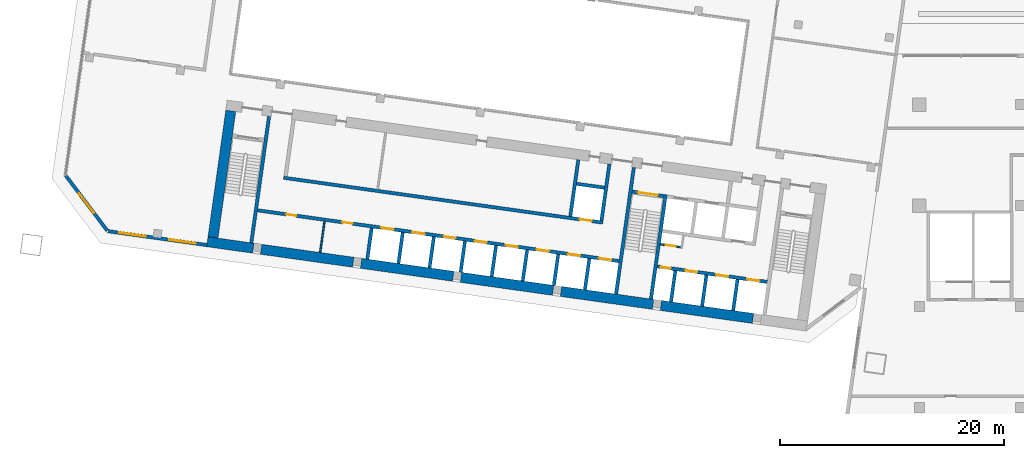
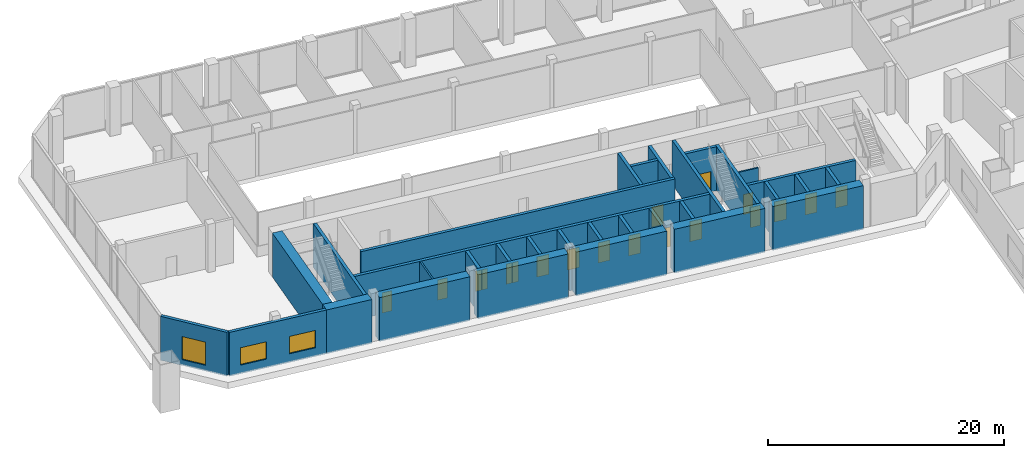
# One storey, part 10 of 21: 32 walls, 17 doors, 3 windows, 20 openings.
"""IFC4 building model written with IfcOpenShell, lengths in metres."""

from ifc_helpers import new_model, si_unit, direction, frame, frame_2d, origin, place, context, subcontext, project, spatial, rectangle, extrude, material, layer, layer_set, type_object, element, fill, save


model = new_model("IFC4")

# Units and contexts
model_context = context("Model", 3, precision=1e-05, world=origin(), true_north=direction((0.0, 1.0)))
body_context = subcontext(model_context, "Body", "Model", "MODEL_VIEW")
ifc_project = project(units=[si_unit("LENGTHUNIT", "METRE"), si_unit("AREAUNIT", "SQUARE_METRE"), si_unit("VOLUMEUNIT", "CUBIC_METRE"), si_unit("PLANEANGLEUNIT", "RADIAN"), si_unit("MASSUNIT", "GRAM", prefix="KILO")], contexts=[model_context])

# Site, building, storey
site_placement = place(None, origin())
site = spatial("IfcSite", under=ifc_project, at=site_placement, CompositionType="ELEMENT")
building_placement = place(site_placement, origin())
building = spatial("IfcBuilding", under=site, at=building_placement, Name="Mirante Cascada Hotel Towers", CompositionType="ELEMENT")
storey_placement = place(building_placement, frame((0.0, 0.0, 34.5)))
storey = spatial("IfcBuildingStorey", under=building, at=storey_placement, Name="L05", CompositionType="ELEMENT", Elevation=34.5)

# Wall, opening, door
ifc_material_1 = material(Name="Masonry block", Category="masonry")
ifc_layer_1 = layer(ifc_material_1, 0.15)
ifc_layer_set_1 = layer_set([ifc_layer_1], Name="Core room partition 150 block EI 30")
wall_type_1 = type_object("IfcWallType", Name="Core room partition 150 block EI 30", PredefinedType="PARTITIONING", material=ifc_layer_set_1)
wall_1_placement = place(storey_placement, frame((-48.2933, -12.7083, 0.0), z_axis=(0.0, 0.0, 1.0), x_axis=(-0.990268, 0.1391734, 0.0)))
wall_1 = element("IfcWall", 1, at=wall_1_placement, inside=storey, type_object=wall_type_1, Name="Core wall partition T1 L05 3", PredefinedType="PARTITIONING", context=body_context, shape_type="SweptSolid", body=[
    extrude(rectangle(XDim=1.8251, YDim=0.15, at=frame_2d((0.9126, 0.0))), origin(), (0.0, 0.0, 1.0), 4.55),
])
opening_1_placement = place(wall_1_placement, frame((0.4625, 0.0, 0.0)))
opening_1 = element("IfcOpeningElement", 2, at=opening_1_placement, cuts=wall_1, Name="Opening D1-05-C26", PredefinedType="OPENING", context=body_context, shape_type="SweptSolid", body=[
    extrude(rectangle(XDim=0.9, YDim=2.1, at=frame_2d((0.45, 1.05))), frame((0.0, 0.075, 0.0), z_axis=(0.0, -1.0, 0.0), x_axis=(1.0, 0.0, 0.0)), (0.0, 0.0, 1.0), 0.15),
])
ifc_material_2 = material(Name="Hollow metal fire door leaf")
door_type_1 = type_object("IfcDoorType", Name="Fire door 900x2100 FD60", OperationType="NOTDEFINED", PredefinedType="DOOR", material=ifc_material_2)
door_1_placement = place(opening_1_placement, origin())
door_1 = element("IfcDoor", 3, at=door_1_placement, inside=storey, type_object=door_type_1, Name="Riser door T1 L05 26", OperationType="SINGLE_SWING_RIGHT", OverallHeight=2.1, OverallWidth=0.9, PredefinedType="DOOR", context=body_context, shape_type="SweptSolid", body=[
    extrude(rectangle(XDim=0.9, YDim=2.1, at=frame_2d((0.45, 1.05))), frame((0.0, 0.025, 0.0), z_axis=(0.0, -1.0, 0.0), x_axis=(1.0, 0.0, 0.0)), (0.0, 0.0, 1.0), 0.05),
])
fill(opening_1, door_1)

# Wall
wall_2_placement = place(storey_placement, frame((-80.448, -13.1879, 0.0), z_axis=(0.0, 0.0, 1.0), x_axis=(0.139176, 0.9902677, 0.0)))
element("IfcWall", 4, at=wall_2_placement, inside=storey, type_object=wall_type_1, Name="Core wall partition T1 L05 4", PredefinedType="PARTITIONING", context=body_context, shape_type="SweptSolid", body=[
    extrude(rectangle(XDim=2.8001, YDim=0.15, at=frame_2d((1.4, 0.0))), origin(), (0.0, 0.0, 1.0), 4.55),
])

# Wall, openings, windows
ifc_material_3 = material(Name="Precast concrete C40/50", Category="concrete")
ifc_layer_2 = layer(ifc_material_3, 0.3)
ifc_layer_set_2 = layer_set([ifc_layer_2], Name="Precast concrete C40/50 cladding wall 300")
wall_type_2 = type_object("IfcWallType", Name="Precast concrete C40/50 cladding wall 300", PredefinedType="STANDARD", material=ifc_layer_set_2)
wall_3_placement = place(storey_placement, frame((-90.5541, -12.5249, 0.0), z_axis=(0.0, 0.0, 1.0), x_axis=(-0.9902676, 0.1391765, 0.0)))
wall_3 = element("IfcWall", 5, at=wall_3_placement, inside=storey, type_object=wall_type_2, Name="Rear cladding wall T1 L05 1", PredefinedType="STANDARD", context=body_context, shape_type="SweptSolid", body=[
    extrude(rectangle(XDim=8.8758, YDim=0.3, at=frame_2d((4.4379, 0.0))), origin(), (0.0, 0.0, 1.0), 4.55),
])
opening_2_placement = place(wall_3_placement, frame((1.0012, 0.0, 0.9)))
opening_2 = element("IfcOpeningElement", 6, at=opening_2_placement, cuts=wall_3, Name="Opening W1-05-01", PredefinedType="OPENING", context=body_context, shape_type="SweptSolid", body=[
    extrude(rectangle(XDim=2.4, YDim=1.8, at=frame_2d((1.2, 0.9))), frame((0.0, 0.15, 0.0), z_axis=(0.0, -1.0, 0.0), x_axis=(1.0, 0.0, 0.0)), (0.0, 0.0, 1.0), 0.3),
])
opening_3_placement = place(wall_3_placement, frame((5.4923, 0.0, 0.9)))
opening_3 = element("IfcOpeningElement", 7, at=opening_3_placement, cuts=wall_3, Name="Opening W1-05-02", PredefinedType="OPENING", context=body_context, shape_type="SweptSolid", body=[
    extrude(rectangle(XDim=2.4, YDim=1.8, at=frame_2d((1.2, 0.9))), frame((0.0, 0.15, 0.0), z_axis=(0.0, -1.0, 0.0), x_axis=(1.0, 0.0, 0.0)), (0.0, 0.0, 1.0), 0.3),
])
ifc_material_4 = material(Name="Aluminium frame with clear double glazing", Category="aluminium")
window_type_1 = type_object("IfcWindowType", Name="Punched window 2400x1800", PartitioningType="DOUBLE_PANEL_VERTICAL", PredefinedType="WINDOW", material=ifc_material_4)
window_1_placement = place(opening_2_placement, origin())
window_1 = element("IfcWindow", 8, at=window_1_placement, inside=storey, type_object=window_type_1, Name="Window W1-05-01", OverallHeight=1.8, OverallWidth=2.4, PartitioningType="SINGLE_PANEL", PredefinedType="WINDOW", context=body_context, shape_type="SweptSolid", body=[
    extrude(rectangle(XDim=2.4, YDim=1.8, at=frame_2d((1.2, 0.9))), frame((0.0, 0.03, 0.0), z_axis=(0.0, -1.0, 0.0), x_axis=(1.0, 0.0, 0.0)), (0.0, 0.0, 1.0), 0.06),
])
fill(opening_2, window_1)
window_2_placement = place(opening_3_placement, origin())
window_2 = element("IfcWindow", 9, at=window_2_placement, inside=storey, type_object=window_type_1, Name="Window W1-05-02", OverallHeight=1.8, OverallWidth=2.4, PartitioningType="SINGLE_PANEL", PredefinedType="WINDOW", context=body_context, shape_type="SweptSolid", body=[
    extrude(rectangle(XDim=2.4, YDim=1.8, at=frame_2d((1.2, 0.9))), frame((0.0, 0.03, 0.0), z_axis=(0.0, -1.0, 0.0), x_axis=(1.0, 0.0, 0.0)), (0.0, 0.0, 1.0), 0.06),
])
fill(opening_3, window_2)

# Wall, opening, window
wall_4_placement = place(storey_placement, frame((-99.4424, -11.2313, 0.0), z_axis=(0.0, 0.0, 1.0), x_axis=(-0.6018194, 0.7986322, 0.0)))
wall_4 = element("IfcWall", 10, at=wall_4_placement, inside=storey, type_object=wall_type_2, Name="Corner cladding wall T1 L05 rear outer", PredefinedType="STANDARD", context=body_context, shape_type="SweptSolid", body=[
    extrude(rectangle(XDim=6.1155, YDim=0.3, at=frame_2d((3.0578, 0.0))), origin(), (0.0, 0.0, 1.0), 4.55),
])
opening_4_placement = place(wall_4_placement, frame((1.9576, 0.0, 0.6)))
opening_4 = element("IfcOpeningElement", 11, at=opening_4_placement, cuts=wall_4, Name="Opening W1-05-03", PredefinedType="OPENING", context=body_context, shape_type="SweptSolid", body=[
    extrude(rectangle(XDim=2.2, YDim=2.4, at=frame_2d((1.1, 1.2))), frame((0.0, 0.15, 0.0), z_axis=(0.0, -1.0, 0.0), x_axis=(1.0, 0.0, 0.0)), (0.0, 0.0, 1.0), 0.3),
])
ifc_material_5 = material(Name="Aluminium frame with clear double glazing", Category="aluminium")
window_type_2 = type_object("IfcWindowType", Name="Corner suite window 2200x2400", PartitioningType="DOUBLE_PANEL_VERTICAL", PredefinedType="WINDOW", material=ifc_material_5)
window_3_placement = place(opening_4_placement, origin())
window_3 = element("IfcWindow", 12, at=window_3_placement, inside=storey, type_object=window_type_2, Name="Window W1-05-03", OverallHeight=2.4, OverallWidth=2.2, PartitioningType="SINGLE_PANEL", PredefinedType="WINDOW", context=body_context, shape_type="SweptSolid", body=[
    extrude(rectangle(XDim=2.2, YDim=2.4, at=frame_2d((1.1, 1.2))), frame((0.0, 0.03, 0.0), z_axis=(0.0, -1.0, 0.0), x_axis=(1.0, 0.0, 0.0)), (0.0, 0.0, 1.0), 0.06),
])
fill(opening_4, window_3)

# Walls
ifc_material_6 = material(Name="Concrete C50/60", Category="concrete")
ifc_layer_3 = layer(ifc_material_6, 0.3)
ifc_layer_set_3 = layer_set([ifc_layer_3], Name="RC core wall 300 C50/60")
wall_type_3 = type_object("IfcWallType", Name="RC core wall 300 C50/60", PredefinedType="SHEAR", material=ifc_layer_set_3)
wall_5_placement = place(storey_placement, frame((-50.938, -17.3352, 0.0), z_axis=(0.0, 0.0, 1.0), x_axis=(0.1391706, 0.9902684, 0.0)))
element("IfcWall", 13, at=wall_5_placement, inside=storey, type_object=wall_type_3, Name="Core wall T1:L05:6", PredefinedType="SHEAR", context=body_context, shape_type="SweptSolid", body=[
    extrude(rectangle(XDim=9.4, YDim=0.3, at=frame_2d((4.7, 0.0))), origin(), (0.0, 0.0, 1.0), 4.55),
])
wall_6_placement = place(storey_placement, frame((-54.0574, -16.8968, 0.0), z_axis=(0.0, 0.0, 1.0), x_axis=(0.1391761, 0.9902677, 0.0)))
element("IfcWall", 14, at=wall_6_placement, inside=storey, type_object=wall_type_3, Name="Core wall T1:L05:7", PredefinedType="SHEAR", context=body_context, shape_type="SweptSolid", body=[
    extrude(rectangle(XDim=11.3999, YDim=0.3, at=frame_2d((5.7, 0.0))), origin(), (0.0, 0.0, 1.0), 4.55),
])
wall_7_placement = place(storey_placement, frame((-86.5877, -12.325, 0.0), z_axis=(0.0, 0.0, 1.0), x_axis=(0.1391749, 0.9902678, 0.0)))
element("IfcWall", 15, at=wall_7_placement, inside=storey, type_object=wall_type_3, Name="Core wall T1:L05:8", PredefinedType="SHEAR", context=body_context, shape_type="SweptSolid", body=[
    extrude(rectangle(XDim=11.4, YDim=0.3, at=frame_2d((5.7, 0.0))), origin(), (0.0, 0.0, 1.0), 4.55),
])

# Wall, opening, door
wall_8_placement = place(storey_placement, frame((-49.7992, -8.1544, 0.0), z_axis=(0.0, 0.0, 1.0), x_axis=(-0.9902656, 0.1391909, 0.0)))
wall_8 = element("IfcWall", 16, at=wall_8_placement, inside=storey, type_object=wall_type_3, Name="Core wall T1:L05:10", PredefinedType="SHEAR", context=body_context, shape_type="SweptSolid", body=[
    extrude(rectangle(XDim=2.85, YDim=0.3, at=frame_2d((1.425, 0.0))), origin(), (0.0, 0.0, 1.0), 4.55),
])
opening_5_placement = place(wall_8_placement, frame((0.525, 0.0, 0.0)))
opening_5 = element("IfcOpeningElement", 17, at=opening_5_placement, cuts=wall_8, Name="Opening D1-05-C18", PredefinedType="OPENING", context=body_context, shape_type="SweptSolid", body=[
    extrude(rectangle(XDim=1.8, YDim=2.1, at=frame_2d((0.9, 1.05))), frame((0.0, 0.15, 0.0), z_axis=(0.0, -1.0, 0.0), x_axis=(1.0, 0.0, 0.0)), (0.0, 0.0, 1.0), 0.3),
])
ifc_material_7 = material(Name="Hollow metal fire door leaf")
door_type_2 = type_object("IfcDoorType", Name="Double fire door 1800x2100 FD60", OperationType="DOUBLE_DOOR_SINGLE_SWING", PredefinedType="DOOR", material=ifc_material_7)
door_2_placement = place(opening_5_placement, origin())
door_2 = element("IfcDoor", 18, at=door_2_placement, inside=storey, type_object=door_type_2, Name="Stair door T1 L05 18", OperationType="DOUBLE_DOOR_SINGLE_SWING", OverallHeight=2.1, OverallWidth=1.8, PredefinedType="DOOR", context=body_context, shape_type="SweptSolid", body=[
    extrude(rectangle(XDim=0.895, YDim=2.1, at=frame_2d((0.4475, 1.05))), frame((0.0, 0.025, 0.0), z_axis=(0.0, -1.0, 0.0), x_axis=(1.0, 0.0, 0.0)), (0.0, 0.0, 1.0), 0.05),
    extrude(rectangle(XDim=0.895, YDim=2.1, at=frame_2d((1.3525, 1.05))), frame((0.0, 0.025, 0.0), z_axis=(0.0, -1.0, 0.0), x_axis=(1.0, 0.0, 0.0)), (0.0, 0.0, 1.0), 0.05),
])
fill(opening_5, door_2)

# Wall, openings, doors
wall_9_placement = place(storey_placement, frame((-40.5753, -15.8126, 0.0), z_axis=(0.0, 0.0, 1.0), x_axis=(-0.9902682, 0.1391725, 0.0)))
wall_9 = element("IfcWall", 19, at=wall_9_placement, inside=storey, type_object=wall_type_3, Name="Core wall T1:L05:12", PredefinedType="SHEAR", context=body_context, shape_type="SweptSolid", body=[
    extrude(rectangle(XDim=9.8999, YDim=0.3, at=frame_2d((4.95, 0.0))), origin(), (0.0, 0.0, 1.0), 4.55),
])
opening_6_placement = place(wall_9_placement, frame((0.7, 0.0, 0.0)))
opening_6 = element("IfcOpeningElement", 20, at=opening_6_placement, cuts=wall_9, Name="Opening LD", PredefinedType="OPENING", context=body_context, shape_type="SweptSolid", body=[
    extrude(rectangle(XDim=1.1, YDim=2.1, at=frame_2d((0.55, 1.05))), frame((0.0, 0.15, 0.0), z_axis=(0.0, -1.0, 0.0), x_axis=(1.0, 0.0, 0.0)), (0.0, 0.0, 1.0), 0.3),
])
opening_7_placement = place(wall_9_placement, frame((3.5, 0.0, 0.0)))
opening_7 = element("IfcOpeningElement", 21, at=opening_7_placement, cuts=wall_9, Name="Opening LD", PredefinedType="OPENING", context=body_context, shape_type="SweptSolid", body=[
    extrude(rectangle(XDim=1.1, YDim=2.1, at=frame_2d((0.55, 1.05))), frame((0.0, 0.15, 0.0), z_axis=(0.0, -1.0, 0.0), x_axis=(1.0, 0.0, 0.0)), (0.0, 0.0, 1.0), 0.3),
])
opening_8_placement = place(wall_9_placement, frame((6.3, 0.0, 0.0)))
opening_8 = element("IfcOpeningElement", 22, at=opening_8_placement, cuts=wall_9, Name="Opening LD", PredefinedType="OPENING", context=body_context, shape_type="SweptSolid", body=[
    extrude(rectangle(XDim=1.1, YDim=2.1, at=frame_2d((0.55, 1.05))), frame((0.0, 0.15, 0.0), z_axis=(0.0, -1.0, 0.0), x_axis=(1.0, 0.0, 0.0)), (0.0, 0.0, 1.0), 0.3),
])
opening_9_placement = place(wall_9_placement, frame((8.7, 0.0, 0.0)))
opening_9 = element("IfcOpeningElement", 23, at=opening_9_placement, cuts=wall_9, Name="Opening D1-05-C25", PredefinedType="OPENING", context=body_context, shape_type="SweptSolid", body=[
    extrude(rectangle(XDim=0.9, YDim=2.1, at=frame_2d((0.45, 1.05))), frame((0.0, 0.15, 0.0), z_axis=(0.0, -1.0, 0.0), x_axis=(1.0, 0.0, 0.0)), (0.0, 0.0, 1.0), 0.3),
])
door_3_placement = place(opening_9_placement, origin())
door_3 = element("IfcDoor", 24, at=door_3_placement, inside=storey, type_object=door_type_1, Name="Riser door T1 L05 25", OperationType="SINGLE_SWING_LEFT", OverallHeight=2.1, OverallWidth=0.9, PredefinedType="DOOR", context=body_context, shape_type="SweptSolid", body=[
    extrude(rectangle(XDim=0.9, YDim=2.1, at=frame_2d((0.45, 1.05))), frame((0.0, 0.025, 0.0), z_axis=(0.0, -1.0, 0.0), x_axis=(1.0, 0.0, 0.0)), (0.0, 0.0, 1.0), 0.05),
])
fill(opening_9, door_3)
ifc_material_8 = material(Name="Stainless steel", Category="steel")
door_type_3 = type_object("IfcDoorType", Name="Lift landing door 1100x2100 EI 120", OperationType="DOUBLE_DOOR_SLIDING", PredefinedType="DOOR", material=ifc_material_8)
door_4_placement = place(opening_6_placement, origin())
door_4 = element("IfcDoor", 25, at=door_4_placement, inside=storey, type_object=door_type_3, Name="Lift landing door HR1-1 L05", OperationType="DOUBLE_DOOR_SLIDING", OverallHeight=2.1, OverallWidth=1.1, PredefinedType="DOOR", context=body_context, shape_type="SweptSolid", body=[
    extrude(rectangle(XDim=0.545, YDim=2.1, at=frame_2d((0.2725, 1.05))), frame((0.0, 0.025, 0.0), z_axis=(0.0, -1.0, 0.0), x_axis=(1.0, 0.0, 0.0)), (0.0, 0.0, 1.0), 0.05),
    extrude(rectangle(XDim=0.545, YDim=2.1, at=frame_2d((0.8275, 1.05))), frame((0.0, 0.025, 0.0), z_axis=(0.0, -1.0, 0.0), x_axis=(1.0, 0.0, 0.0)), (0.0, 0.0, 1.0), 0.05),
])
fill(opening_6, door_4)
door_5_placement = place(opening_7_placement, origin())
door_5 = element("IfcDoor", 26, at=door_5_placement, inside=storey, type_object=door_type_3, Name="Lift landing door HR1-2 L05", OperationType="DOUBLE_DOOR_SLIDING", OverallHeight=2.1, OverallWidth=1.1, PredefinedType="DOOR", context=body_context, shape_type="SweptSolid", body=[
    extrude(rectangle(XDim=0.545, YDim=2.1, at=frame_2d((0.2725, 1.05))), frame((0.0, 0.025, 0.0), z_axis=(0.0, -1.0, 0.0), x_axis=(1.0, 0.0, 0.0)), (0.0, 0.0, 1.0), 0.05),
    extrude(rectangle(XDim=0.545, YDim=2.1, at=frame_2d((0.8275, 1.05))), frame((0.0, 0.025, 0.0), z_axis=(0.0, -1.0, 0.0), x_axis=(1.0, 0.0, 0.0)), (0.0, 0.0, 1.0), 0.05),
])
fill(opening_7, door_5)
door_6_placement = place(opening_8_placement, origin())
door_6 = element("IfcDoor", 27, at=door_6_placement, inside=storey, type_object=door_type_3, Name="Lift landing door HR1-3 L05", OperationType="DOUBLE_DOOR_SLIDING", OverallHeight=2.1, OverallWidth=1.1, PredefinedType="DOOR", context=body_context, shape_type="SweptSolid", body=[
    extrude(rectangle(XDim=0.545, YDim=2.1, at=frame_2d((0.2725, 1.05))), frame((0.0, 0.025, 0.0), z_axis=(0.0, -1.0, 0.0), x_axis=(1.0, 0.0, 0.0)), (0.0, 0.0, 1.0), 0.05),
    extrude(rectangle(XDim=0.545, YDim=2.1, at=frame_2d((0.8275, 1.05))), frame((0.0, 0.025, 0.0), z_axis=(0.0, -1.0, 0.0), x_axis=(1.0, 0.0, 0.0)), (0.0, 0.0, 1.0), 0.05),
])
fill(opening_8, door_6)

# Walls
wall_10_placement = place(storey_placement, frame((-43.61, -18.3651, 0.0), z_axis=(0.0, 0.0, 1.0), x_axis=(0.1391459, 0.9902719, 0.0)))
element("IfcWall", 28, at=wall_10_placement, inside=storey, type_object=wall_type_3, Name="Core wall T1:L05:15", PredefinedType="SHEAR", context=body_context, shape_type="SweptSolid", body=[
    extrude(rectangle(XDim=2.7999, YDim=0.3, at=frame_2d((1.4, 0.0))), origin(), (0.0, 0.0, 1.0), 4.55),
])
wall_11_placement = place(storey_placement, frame((-46.3828, -17.9754, 0.0), z_axis=(0.0, 0.0, 1.0), x_axis=(0.139181, 0.990267, 0.0)))
element("IfcWall", 29, at=wall_11_placement, inside=storey, type_object=wall_type_3, Name="Core wall T1:L05:16", PredefinedType="SHEAR", context=body_context, shape_type="SweptSolid", body=[
    extrude(rectangle(XDim=2.8, YDim=0.3, at=frame_2d((1.4, 0.0))), origin(), (0.0, 0.0, 1.0), 4.55),
])
wall_12_placement = place(storey_placement, frame((-49.1555, -17.5857, 0.0), z_axis=(0.0, 0.0, 1.0), x_axis=(0.1391459, 0.9902719, 0.0)))
element("IfcWall", 30, at=wall_12_placement, inside=storey, type_object=wall_type_3, Name="Core wall T1:L05:17", PredefinedType="SHEAR", context=body_context, shape_type="SweptSolid", body=[
    extrude(rectangle(XDim=2.7999, YDim=0.3, at=frame_2d((1.4, 0.0))), origin(), (0.0, 0.0, 1.0), 4.55),
])

# Wall, openings, doors
wall_13_placement = place(storey_placement, frame((-53.7953, -13.9547, 0.0), z_axis=(0.0, 0.0, 1.0), x_axis=(-0.990268, 0.1391733, 0.0)))
wall_13 = element("IfcWall", 31, at=wall_13_placement, inside=storey, type_object=wall_type_3, Name="Core wall T1:L05:24", PredefinedType="SHEAR", context=body_context, shape_type="SweptSolid", body=[
    extrude(rectangle(XDim=32.5501, YDim=0.3, at=frame_2d((16.275, 0.0))), origin(), (0.0, 0.0, 1.0), 4.55),
])
opening_10_placement = place(wall_13_placement, frame((0.7, 0.0, 0.0)))
opening_10 = element("IfcOpeningElement", 32, at=opening_10_placement, cuts=wall_13, Name="Opening LD", PredefinedType="OPENING", context=body_context, shape_type="SweptSolid", body=[
    extrude(rectangle(XDim=1.1, YDim=2.1, at=frame_2d((0.55, 1.05))), frame((0.0, 0.15, 0.0), z_axis=(0.0, -1.0, 0.0), x_axis=(1.0, 0.0, 0.0)), (0.0, 0.0, 1.0), 0.3),
])
opening_11_placement = place(wall_13_placement, frame((3.5, 0.0, 0.0)))
opening_11 = element("IfcOpeningElement", 33, at=opening_11_placement, cuts=wall_13, Name="Opening LD", PredefinedType="OPENING", context=body_context, shape_type="SweptSolid", body=[
    extrude(rectangle(XDim=1.1, YDim=2.1, at=frame_2d((0.55, 1.05))), frame((0.0, 0.15, 0.0), z_axis=(0.0, -1.0, 0.0), x_axis=(1.0, 0.0, 0.0)), (0.0, 0.0, 1.0), 0.3),
])
opening_12_placement = place(wall_13_placement, frame((6.3, 0.0, 0.0)))
opening_12 = element("IfcOpeningElement", 34, at=opening_12_placement, cuts=wall_13, Name="Opening LD", PredefinedType="OPENING", context=body_context, shape_type="SweptSolid", body=[
    extrude(rectangle(XDim=1.1, YDim=2.1, at=frame_2d((0.55, 1.05))), frame((0.0, 0.15, 0.0), z_axis=(0.0, -1.0, 0.0), x_axis=(1.0, 0.0, 0.0)), (0.0, 0.0, 1.0), 0.3),
])
opening_13_placement = place(wall_13_placement, frame((9.1, 0.0, 0.0)))
opening_13 = element("IfcOpeningElement", 35, at=opening_13_placement, cuts=wall_13, Name="Opening LD", PredefinedType="OPENING", context=body_context, shape_type="SweptSolid", body=[
    extrude(rectangle(XDim=1.1, YDim=2.1, at=frame_2d((0.55, 1.05))), frame((0.0, 0.15, 0.0), z_axis=(0.0, -1.0, 0.0), x_axis=(1.0, 0.0, 0.0)), (0.0, 0.0, 1.0), 0.3),
])
opening_14_placement = place(wall_13_placement, frame((11.9, 0.0, 0.0)))
opening_14 = element("IfcOpeningElement", 36, at=opening_14_placement, cuts=wall_13, Name="Opening LD", PredefinedType="OPENING", context=body_context, shape_type="SweptSolid", body=[
    extrude(rectangle(XDim=1.1, YDim=2.1, at=frame_2d((0.55, 1.05))), frame((0.0, 0.15, 0.0), z_axis=(0.0, -1.0, 0.0), x_axis=(1.0, 0.0, 0.0)), (0.0, 0.0, 1.0), 0.3),
])
opening_15_placement = place(wall_13_placement, frame((14.7, 0.0, 0.0)))
opening_15 = element("IfcOpeningElement", 37, at=opening_15_placement, cuts=wall_13, Name="Opening LD", PredefinedType="OPENING", context=body_context, shape_type="SweptSolid", body=[
    extrude(rectangle(XDim=1.1, YDim=2.1, at=frame_2d((0.55, 1.05))), frame((0.0, 0.15, 0.0), z_axis=(0.0, -1.0, 0.0), x_axis=(1.0, 0.0, 0.0)), (0.0, 0.0, 1.0), 0.3),
])
opening_16_placement = place(wall_13_placement, frame((17.5, 0.0, 0.0)))
opening_16 = element("IfcOpeningElement", 38, at=opening_16_placement, cuts=wall_13, Name="Opening LD", PredefinedType="OPENING", context=body_context, shape_type="SweptSolid", body=[
    extrude(rectangle(XDim=1.1, YDim=2.1, at=frame_2d((0.55, 1.05))), frame((0.0, 0.15, 0.0), z_axis=(0.0, -1.0, 0.0), x_axis=(1.0, 0.0, 0.0)), (0.0, 0.0, 1.0), 0.3),
])
opening_17_placement = place(wall_13_placement, frame((20.3, 0.0, 0.0)))
opening_17 = element("IfcOpeningElement", 39, at=opening_17_placement, cuts=wall_13, Name="Opening LD", PredefinedType="OPENING", context=body_context, shape_type="SweptSolid", body=[
    extrude(rectangle(XDim=1.1, YDim=2.1, at=frame_2d((0.55, 1.05))), frame((0.0, 0.15, 0.0), z_axis=(0.0, -1.0, 0.0), x_axis=(1.0, 0.0, 0.0)), (0.0, 0.0, 1.0), 0.3),
])
opening_18_placement = place(wall_13_placement, frame((24.0, 0.0, 0.0)))
opening_18 = element("IfcOpeningElement", 40, at=opening_18_placement, cuts=wall_13, Name="Opening D1-05-C28", PredefinedType="OPENING", context=body_context, shape_type="SweptSolid", body=[
    extrude(rectangle(XDim=0.9, YDim=2.1, at=frame_2d((0.45, 1.05))), frame((0.0, 0.15, 0.0), z_axis=(0.0, -1.0, 0.0), x_axis=(1.0, 0.0, 0.0)), (0.0, 0.0, 1.0), 0.3),
])
opening_19_placement = place(wall_13_placement, frame((29.075, 0.0, 0.0)))
opening_19 = element("IfcOpeningElement", 41, at=opening_19_placement, cuts=wall_13, Name="Opening D1-05-C29", PredefinedType="OPENING", context=body_context, shape_type="SweptSolid", body=[
    extrude(rectangle(XDim=0.9, YDim=2.1, at=frame_2d((0.45, 1.05))), frame((0.0, 0.15, 0.0), z_axis=(0.0, -1.0, 0.0), x_axis=(1.0, 0.0, 0.0)), (0.0, 0.0, 1.0), 0.3),
])
door_7_placement = place(opening_18_placement, origin())
door_7 = element("IfcDoor", 42, at=door_7_placement, inside=storey, type_object=door_type_1, Name="Room door T1 L05 28", OperationType="SINGLE_SWING_LEFT", OverallHeight=2.1, OverallWidth=0.9, PredefinedType="DOOR", context=body_context, shape_type="SweptSolid", body=[
    extrude(rectangle(XDim=0.9, YDim=2.1, at=frame_2d((0.45, 1.05))), frame((0.0, 0.025, 0.0), z_axis=(0.0, -1.0, 0.0), x_axis=(1.0, 0.0, 0.0)), (0.0, 0.0, 1.0), 0.05),
])
fill(opening_18, door_7)
door_8_placement = place(opening_19_placement, origin())
door_8 = element("IfcDoor", 43, at=door_8_placement, inside=storey, type_object=door_type_1, Name="Room door T1 L05 29", OperationType="SINGLE_SWING_LEFT", OverallHeight=2.1, OverallWidth=0.9, PredefinedType="DOOR", context=body_context, shape_type="SweptSolid", body=[
    extrude(rectangle(XDim=0.9, YDim=2.1, at=frame_2d((0.45, 1.05))), frame((0.0, 0.025, 0.0), z_axis=(0.0, -1.0, 0.0), x_axis=(1.0, 0.0, 0.0)), (0.0, 0.0, 1.0), 0.05),
])
fill(opening_19, door_8)
door_9_placement = place(opening_10_placement, origin())
door_9 = element("IfcDoor", 44, at=door_9_placement, inside=storey, type_object=door_type_3, Name="Lift landing door LR1-1 L05", OperationType="DOUBLE_DOOR_SLIDING", OverallHeight=2.1, OverallWidth=1.1, PredefinedType="DOOR", context=body_context, shape_type="SweptSolid", body=[
    extrude(rectangle(XDim=0.545, YDim=2.1, at=frame_2d((0.2725, 1.05))), frame((0.0, 0.025, 0.0), z_axis=(0.0, -1.0, 0.0), x_axis=(1.0, 0.0, 0.0)), (0.0, 0.0, 1.0), 0.05),
    extrude(rectangle(XDim=0.545, YDim=2.1, at=frame_2d((0.8275, 1.05))), frame((0.0, 0.025, 0.0), z_axis=(0.0, -1.0, 0.0), x_axis=(1.0, 0.0, 0.0)), (0.0, 0.0, 1.0), 0.05),
])
fill(opening_10, door_9)
door_10_placement = place(opening_11_placement, origin())
door_10 = element("IfcDoor", 45, at=door_10_placement, inside=storey, type_object=door_type_3, Name="Lift landing door LR1-2 L05", OperationType="DOUBLE_DOOR_SLIDING", OverallHeight=2.1, OverallWidth=1.1, PredefinedType="DOOR", context=body_context, shape_type="SweptSolid", body=[
    extrude(rectangle(XDim=0.545, YDim=2.1, at=frame_2d((0.2725, 1.05))), frame((0.0, 0.025, 0.0), z_axis=(0.0, -1.0, 0.0), x_axis=(1.0, 0.0, 0.0)), (0.0, 0.0, 1.0), 0.05),
    extrude(rectangle(XDim=0.545, YDim=2.1, at=frame_2d((0.8275, 1.05))), frame((0.0, 0.025, 0.0), z_axis=(0.0, -1.0, 0.0), x_axis=(1.0, 0.0, 0.0)), (0.0, 0.0, 1.0), 0.05),
])
fill(opening_11, door_10)
door_11_placement = place(opening_12_placement, origin())
door_11 = element("IfcDoor", 46, at=door_11_placement, inside=storey, type_object=door_type_3, Name="Lift landing door SV1-1 L05", OperationType="DOUBLE_DOOR_SLIDING", OverallHeight=2.1, OverallWidth=1.1, PredefinedType="DOOR", context=body_context, shape_type="SweptSolid", body=[
    extrude(rectangle(XDim=0.545, YDim=2.1, at=frame_2d((0.2725, 1.05))), frame((0.0, 0.025, 0.0), z_axis=(0.0, -1.0, 0.0), x_axis=(1.0, 0.0, 0.0)), (0.0, 0.0, 1.0), 0.05),
    extrude(rectangle(XDim=0.545, YDim=2.1, at=frame_2d((0.8275, 1.05))), frame((0.0, 0.025, 0.0), z_axis=(0.0, -1.0, 0.0), x_axis=(1.0, 0.0, 0.0)), (0.0, 0.0, 1.0), 0.05),
])
fill(opening_12, door_11)
door_12_placement = place(opening_13_placement, origin())
door_12 = element("IfcDoor", 47, at=door_12_placement, inside=storey, type_object=door_type_3, Name="Lift landing door SV1-2 L05", OperationType="DOUBLE_DOOR_SLIDING", OverallHeight=2.1, OverallWidth=1.1, PredefinedType="DOOR", context=body_context, shape_type="SweptSolid", body=[
    extrude(rectangle(XDim=0.545, YDim=2.1, at=frame_2d((0.2725, 1.05))), frame((0.0, 0.025, 0.0), z_axis=(0.0, -1.0, 0.0), x_axis=(1.0, 0.0, 0.0)), (0.0, 0.0, 1.0), 0.05),
    extrude(rectangle(XDim=0.545, YDim=2.1, at=frame_2d((0.8275, 1.05))), frame((0.0, 0.025, 0.0), z_axis=(0.0, -1.0, 0.0), x_axis=(1.0, 0.0, 0.0)), (0.0, 0.0, 1.0), 0.05),
])
fill(opening_13, door_12)
door_13_placement = place(opening_14_placement, origin())
door_13 = element("IfcDoor", 48, at=door_13_placement, inside=storey, type_object=door_type_3, Name="Lift landing door SV1-3 L05", OperationType="DOUBLE_DOOR_SLIDING", OverallHeight=2.1, OverallWidth=1.1, PredefinedType="DOOR", context=body_context, shape_type="SweptSolid", body=[
    extrude(rectangle(XDim=0.545, YDim=2.1, at=frame_2d((0.2725, 1.05))), frame((0.0, 0.025, 0.0), z_axis=(0.0, -1.0, 0.0), x_axis=(1.0, 0.0, 0.0)), (0.0, 0.0, 1.0), 0.05),
    extrude(rectangle(XDim=0.545, YDim=2.1, at=frame_2d((0.8275, 1.05))), frame((0.0, 0.025, 0.0), z_axis=(0.0, -1.0, 0.0), x_axis=(1.0, 0.0, 0.0)), (0.0, 0.0, 1.0), 0.05),
])
fill(opening_14, door_13)
door_14_placement = place(opening_15_placement, origin())
door_14 = element("IfcDoor", 49, at=door_14_placement, inside=storey, type_object=door_type_3, Name="Lift landing door SV1-4 L05", OperationType="DOUBLE_DOOR_SLIDING", OverallHeight=2.1, OverallWidth=1.1, PredefinedType="DOOR", context=body_context, shape_type="SweptSolid", body=[
    extrude(rectangle(XDim=0.545, YDim=2.1, at=frame_2d((0.2725, 1.05))), frame((0.0, 0.025, 0.0), z_axis=(0.0, -1.0, 0.0), x_axis=(1.0, 0.0, 0.0)), (0.0, 0.0, 1.0), 0.05),
    extrude(rectangle(XDim=0.545, YDim=2.1, at=frame_2d((0.8275, 1.05))), frame((0.0, 0.025, 0.0), z_axis=(0.0, -1.0, 0.0), x_axis=(1.0, 0.0, 0.0)), (0.0, 0.0, 1.0), 0.05),
])
fill(opening_15, door_14)
door_15_placement = place(opening_16_placement, origin())
door_15 = element("IfcDoor", 50, at=door_15_placement, inside=storey, type_object=door_type_3, Name="Lift landing door PS1-1 L05", OperationType="DOUBLE_DOOR_SLIDING", OverallHeight=2.1, OverallWidth=1.1, PredefinedType="DOOR", context=body_context, shape_type="SweptSolid", body=[
    extrude(rectangle(XDim=0.545, YDim=2.1, at=frame_2d((0.2725, 1.05))), frame((0.0, 0.025, 0.0), z_axis=(0.0, -1.0, 0.0), x_axis=(1.0, 0.0, 0.0)), (0.0, 0.0, 1.0), 0.05),
    extrude(rectangle(XDim=0.545, YDim=2.1, at=frame_2d((0.8275, 1.05))), frame((0.0, 0.025, 0.0), z_axis=(0.0, -1.0, 0.0), x_axis=(1.0, 0.0, 0.0)), (0.0, 0.0, 1.0), 0.05),
])
fill(opening_16, door_15)
door_16_placement = place(opening_17_placement, origin())
door_16 = element("IfcDoor", 51, at=door_16_placement, inside=storey, type_object=door_type_3, Name="Lift landing door PS1-2 L05", OperationType="DOUBLE_DOOR_SLIDING", OverallHeight=2.1, OverallWidth=1.1, PredefinedType="DOOR", context=body_context, shape_type="SweptSolid", body=[
    extrude(rectangle(XDim=0.545, YDim=2.1, at=frame_2d((0.2725, 1.05))), frame((0.0, 0.025, 0.0), z_axis=(0.0, -1.0, 0.0), x_axis=(1.0, 0.0, 0.0)), (0.0, 0.0, 1.0), 0.05),
    extrude(rectangle(XDim=0.545, YDim=2.1, at=frame_2d((0.8275, 1.05))), frame((0.0, 0.025, 0.0), z_axis=(0.0, -1.0, 0.0), x_axis=(1.0, 0.0, 0.0)), (0.0, 0.0, 1.0), 0.05),
])
fill(opening_17, door_16)

# Walls
for number, where, z_axis, x_axis, name in (
    (52, (-56.8301, -16.5072, 0.0), (0.0, 0.0, 1.0), (0.139176, 0.9902677, 0.0), "Core wall T1:L05:25"),
    (53, (-59.6029, -16.1175, 0.0), (0.0, 0.0, 1.0), (0.139176, 0.9902677, 0.0), "Core wall T1:L05:26"),
    (54, (-62.3756, -15.7278, 0.0), (0.0, 0.0, 1.0), (0.139176, 0.9902677, 0.0), "Core wall T1:L05:27"),
    (55, (-65.1484, -15.3381, 0.0), (0.0, 0.0, 1.0), (0.139176, 0.9902677, 0.0), "Core wall T1:L05:28"),
):
    element("IfcWall", number, at=place(storey_placement, frame(where, z_axis=z_axis, x_axis=x_axis)), inside=storey, type_object=wall_type_3, Name=name, PredefinedType="SHEAR", context=body_context, shape_type="SweptSolid", body=[
        extrude(rectangle(XDim=2.8001, YDim=0.3, at=frame_2d((1.4, 0.0))), origin(), (0.0, 0.0, 1.0), 4.55),
    ])
for number, where, z_axis, x_axis, name in (
    (56, (-67.9211, -14.9484, 0.0), (0.0, 0.0, 1.0), (0.139181, 0.990267, 0.0), "Core wall T1:L05:29"),
    (57, (-70.6939, -14.5587, 0.0), (0.0, 0.0, 1.0), (0.139181, 0.990267, 0.0), "Core wall T1:L05:30"),
    (58, (-73.4666, -14.169, 0.0), (0.0, 0.0, 1.0), (0.139181, 0.990267, 0.0), "Core wall T1:L05:31"),
):
    element("IfcWall", number, at=place(storey_placement, frame(where, z_axis=z_axis, x_axis=x_axis)), inside=storey, type_object=wall_type_3, Name=name, PredefinedType="SHEAR", context=body_context, shape_type="SweptSolid", body=[
        extrude(rectangle(XDim=2.8, YDim=0.3, at=frame_2d((1.4, 0.0))), origin(), (0.0, 0.0, 1.0), 4.55),
    ])
wall_14_placement = place(storey_placement, frame((-76.2394, -13.7794, 0.0), z_axis=(0.0, 0.0, 1.0), x_axis=(0.139176, 0.9902677, 0.0)))
element("IfcWall", 59, at=wall_14_placement, inside=storey, type_object=wall_type_3, Name="Core wall T1:L05:32", PredefinedType="SHEAR", context=body_context, shape_type="SweptSolid", body=[
    extrude(rectangle(XDim=2.8001, YDim=0.3, at=frame_2d((1.4, 0.0))), origin(), (0.0, 0.0, 1.0), 4.55),
])

# Wall, opening, door
wall_15_placement = place(storey_placement, frame((-55.2315, -10.5214, 0.0), z_axis=(0.0, 0.0, 1.0), x_axis=(-0.9902682, 0.1391722, 0.0)))
wall_15 = element("IfcWall", 60, at=wall_15_placement, inside=storey, type_object=wall_type_3, Name="Core wall T1:L05:34", PredefinedType="SHEAR", context=body_context, shape_type="SweptSolid", body=[
    extrude(rectangle(XDim=28.75, YDim=0.3, at=frame_2d((14.375, 0.0))), origin(), (0.0, 0.0, 1.0), 4.55),
])
opening_20_placement = place(wall_15_placement, frame((1.0, 0.0, 0.0)))
opening_20 = element("IfcOpeningElement", 61, at=opening_20_placement, cuts=wall_15, Name="Opening LD", PredefinedType="OPENING", context=body_context, shape_type="SweptSolid", body=[
    extrude(rectangle(XDim=1.1, YDim=2.1, at=frame_2d((0.55, 1.05))), frame((0.0, 0.15, 0.0), z_axis=(0.0, -1.0, 0.0), x_axis=(1.0, 0.0, 0.0)), (0.0, 0.0, 1.0), 0.3),
])
door_17_placement = place(opening_20_placement, origin())
door_17 = element("IfcDoor", 62, at=door_17_placement, inside=storey, type_object=door_type_3, Name="Lift landing door LR1-3 L05", OperationType="DOUBLE_DOOR_SLIDING", OverallHeight=2.1, OverallWidth=1.1, PredefinedType="DOOR", context=body_context, shape_type="SweptSolid", body=[
    extrude(rectangle(XDim=0.545, YDim=2.1, at=frame_2d((0.2725, 1.05))), frame((0.0, 0.025, 0.0), z_axis=(0.0, -1.0, 0.0), x_axis=(1.0, 0.0, 0.0)), (0.0, 0.0, 1.0), 0.05),
    extrude(rectangle(XDim=0.545, YDim=2.1, at=frame_2d((0.8275, 1.05))), frame((0.0, 0.025, 0.0), z_axis=(0.0, -1.0, 0.0), x_axis=(1.0, 0.0, 0.0)), (0.0, 0.0, 1.0), 0.05),
])
fill(opening_20, door_17)

# Walls
for number, where, z_axis, x_axis, name in (
    (63, (-55.3592, -10.352, 0.0), (0.0, 0.0, 1.0), (0.1391755, 0.9902677, 0.0), "Core wall T1:L05:35"),
    (64, (-58.1319, -9.9623, 0.0), (0.0, 0.0, 1.0), (0.1391755, 0.9902677, 0.0), "Core wall T1:L05:37"),
):
    element("IfcWall", number, at=place(storey_placement, frame(where, z_axis=z_axis, x_axis=x_axis)), inside=storey, type_object=wall_type_3, Name=name, PredefinedType="SHEAR", context=body_context, shape_type="SweptSolid", body=[
        extrude(rectangle(XDim=5.1, YDim=0.3, at=frame_2d((2.55, 0.0))), origin(), (0.0, 0.0, 1.0), 4.55),
    ])
wall_16_placement = place(storey_placement, frame((-55.0971, -7.4098, 0.0), z_axis=(0.0, 0.0, 1.0), x_axis=(-0.9902701, 0.1391586, 0.0)))
element("IfcWall", 65, at=wall_16_placement, inside=storey, type_object=wall_type_3, Name="Core wall T1:L05:38", PredefinedType="SHEAR", context=body_context, shape_type="SweptSolid", body=[
    extrude(rectangle(XDim=2.5, YDim=0.3, at=frame_2d((1.25, 0.0))), origin(), (0.0, 0.0, 1.0), 4.55),
])
ifc_material_9 = material(Name="Concrete C50/60", Category="concrete")
ifc_layer_4 = layer(ifc_material_9, 0.9)
ifc_layer_set_4 = layer_set([ifc_layer_4], Name="RC core wall 900 C50/60")
wall_type_4 = type_object("IfcWallType", Name="RC core wall 900 C50/60", PredefinedType="SHEAR", material=ifc_layer_set_4)
for number, where, z_axis, x_axis, name in (
    (66, (-41.8407, -19.0682, 0.0), (0.0, 0.0, 1.0), (-0.9902686, 0.1391692, 0.0), "Core wall T1:L05:1.2"),
    (67, (-50.7531, -17.8156, 0.0), (0.0, 0.0, 1.0), (-0.9902686, 0.1391692, 0.0), "Core wall T1:L05:1.3"),
    (68, (-59.6655, -16.5631, 0.0), (0.0, 0.0, 1.0), (-0.9902686, 0.1391692, 0.0), "Core wall T1:L05:1.4"),
    (69, (-68.5779, -15.3105, 0.0), (0.0, 0.0, 1.0), (-0.9902686, 0.1391692, 0.0), "Core wall T1:L05:1.5"),
    (70, (-77.4903, -14.058, 0.0), (0.0, 0.0, 1.0), (-0.990267, 0.139181, 0.0), "Core wall T1:L05:1.6"),
):
    element("IfcWall", number, at=place(storey_placement, frame(where, z_axis=z_axis, x_axis=x_axis)), inside=storey, type_object=wall_type_4, Name=name, PredefinedType="SHEAR", context=body_context, shape_type="SweptSolid", body=[
        extrude(rectangle(XDim=8.3, YDim=0.9, at=frame_2d((4.15, 0.0))), origin(), (0.0, 0.0, 1.0), 4.55),
    ])
wall_17_placement = place(storey_placement, frame((-86.4027, -12.8054, 0.0), z_axis=(0.0, 0.0, 1.0), x_axis=(-0.990267, 0.139181, 0.0)))
element("IfcWall", 71, at=wall_17_placement, inside=storey, type_object=wall_type_4, Name="Core wall T1:L05:1.7", PredefinedType="SHEAR", context=body_context, shape_type="SweptSolid", body=[
    extrude(rectangle(XDim=4.15, YDim=0.9, at=frame_2d((2.075, 0.0))), origin(), (0.0, 0.0, 1.0), 4.55),
])
wall_18_placement = place(storey_placement, frame((-90.0041, -11.8449, 0.0), z_axis=(0.0, 0.0, 1.0), x_axis=(0.1391749, 0.9902678, 0.0)))
element("IfcWall", 72, at=wall_18_placement, inside=storey, type_object=wall_type_4, Name="Core wall T1:L05:4", PredefinedType="SHEAR", context=body_context, shape_type="SweptSolid", body=[
    extrude(rectangle(XDim=11.4, YDim=0.9, at=frame_2d((5.7, 0.0))), origin(), (0.0, 0.0, 1.0), 4.55),
])

save(model, "model.ifc")
